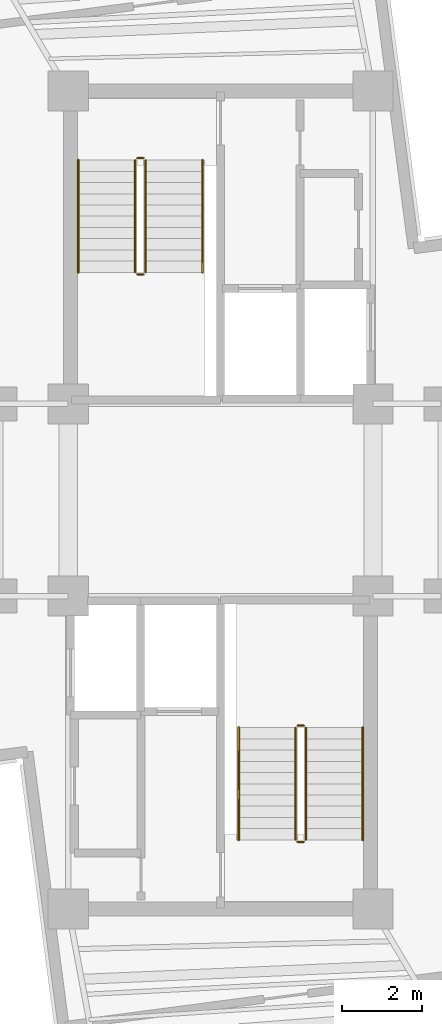
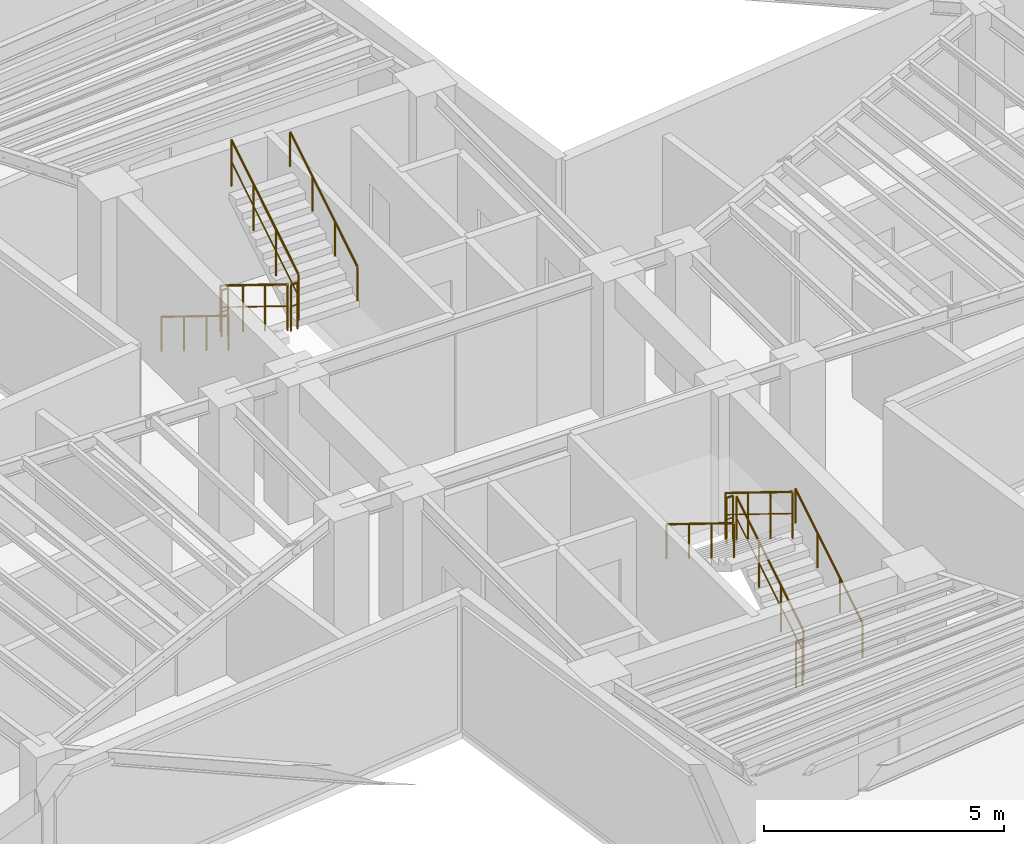
# One storey, part 6 of 6: 12 railings.
"""IFC4 building model written with IfcOpenShell, lengths in metres."""

from ifc_helpers import new_model, si_unit, direction, frame, origin, origin_2d, place, context, subcontext, project, spatial, circle, extrude, material, type_object, element, save


model = new_model("IFC4")

# Units and contexts
model_context = context("Model", 3, precision=1e-05, world=origin(), true_north=direction((0.0, 1.0)))
body_context = subcontext(model_context, "Body", "Model", "MODEL_VIEW")
ifc_project = project(units=[si_unit("LENGTHUNIT", "METRE"), si_unit("AREAUNIT", "SQUARE_METRE"), si_unit("VOLUMEUNIT", "CUBIC_METRE"), si_unit("PLANEANGLEUNIT", "RADIAN"), si_unit("MASSUNIT", "GRAM", prefix="KILO")], contexts=[model_context])

# Site, building, storey
site_placement = place(None, origin())
site = spatial("IfcSite", under=ifc_project, at=site_placement, CompositionType="ELEMENT")
building_placement = place(site_placement, origin())
building = spatial("IfcBuilding", under=site, at=building_placement, Name="Sahyath Konkavel Grand Hotel", CompositionType="ELEMENT")
storey_placement = place(building_placement, frame((0.0, 0.0, 292.699951171875)))
storey = spatial("IfcBuildingStorey", under=building, at=storey_placement, Name="L81", CompositionType="ELEMENT", Elevation=292.699951171875)

# Railings
ifc_material_1 = material(Name="Steel E350", Category="steel")
railing_type_1 = type_object("IfcRailingType", Name="RLG-STAIR-GRD", PredefinedType="GUARDRAIL", material=ifc_material_1)
railing_1_placement = place(storey_placement, frame((-2.1298828125, 8.47998046875, 0.1728515625)))
element("IfcRailing", 1, at=railing_1_placement, inside=storey, type_object=railing_type_1, Name="L81 ST-1 stair guard 1", PredefinedType="GUARDRAIL", context=body_context, shape_type="SweptSolid", body=[
    extrude(circle(Radius=0.02392578125, at=origin_2d()), frame((0.0, -0.001708984375, 1.177001953125), z_axis=(0.0, -0.851089632645, 0.525020415988), x_axis=(1.0, 0.0, 0.0)), (0.0, 0.0, 1.0), 3.285888671875),
    extrude(circle(Radius=0.01416015625, at=origin_2d()), frame((0.0, -0.001708984375, 0.625), z_axis=(0.0, -0.851089632645, 0.525020415988), x_axis=(1.0, 0.0, 0.0)), (0.0, 0.0, 1.0), 3.285888671875),
    extrude(circle(Radius=0.02099609375, at=origin_2d()), origin(), (0.0, 0.0, 1.0), 1.15185546875),
    extrude(circle(Radius=0.02099609375, at=origin_2d()), frame((0.0, -0.933349609375, 0.57568359375)), (0.0, 0.0, 1.0), 1.15185546875),
    extrude(circle(Radius=0.02099609375, at=origin_2d()), frame((0.0, -1.86669921875, 1.151611328125)), (0.0, 0.0, 1.0), 1.15185546875),
    extrude(circle(Radius=0.02099609375, at=origin_2d()), frame((0.0, -2.800048828125, 1.727294921875)), (0.0, 0.0, 1.0), 1.15185546875),
])
railing_2_placement = place(storey_placement, frame((-2.080078125, 5.6298828125, 1.900146484375)))
element("IfcRailing", 2, at=railing_2_placement, inside=storey, type_object=railing_type_1, Name="L81 ST-1 stair guard 2", PredefinedType="GUARDRAIL", context=body_context, shape_type="SweptSolid", body=[
    extrude(circle(Radius=0.02392578125, at=origin_2d()), frame((0.001953125, 0.0, 1.17578125), z_axis=(1.0, 0.0, 0.0), x_axis=(0.0, 1.0, 0.0)), (0.0, 0.0, 1.0), 0.15625),
    extrude(circle(Radius=0.01416015625, at=origin_2d()), frame((0.001953125, 0.0, 0.6240234375), z_axis=(1.0, 0.0, 0.0), x_axis=(0.0, 1.0, 0.0)), (0.0, 0.0, 1.0), 0.15625),
    extrude(circle(Radius=0.02099609375, at=origin_2d()), origin(), (0.0, 0.0, 1.0), 1.15185546875),
    extrude(circle(Radius=0.02099609375, at=origin_2d()), frame((0.16015625, 0.0, 0.0)), (0.0, 0.0, 1.0), 1.15185546875),
])
railing_3_placement = place(storey_placement, frame((-1.8701171875, 5.679931640625, 2.07275390625)))
element("IfcRailing", 3, at=railing_3_placement, inside=storey, type_object=railing_type_1, Name="L81 ST-1 stair guard 3", PredefinedType="GUARDRAIL", context=body_context, shape_type="SweptSolid", body=[
    extrude(circle(Radius=0.02392578125, at=origin_2d()), frame((0.0, 0.001708984375, 1.177001953125), z_axis=(0.0, 0.851089632645, 0.525020415988), x_axis=(-1.0, 0.0, 0.0)), (0.0, 0.0, 1.0), 3.285888671875),
    extrude(circle(Radius=0.01416015625, at=origin_2d()), frame((0.0, 0.001708984375, 0.625), z_axis=(0.0, 0.851089632645, 0.525020415988), x_axis=(-1.0, 0.0, 0.0)), (0.0, 0.0, 1.0), 3.285888671875),
    extrude(circle(Radius=0.02099609375, at=origin_2d()), origin(), (0.0, 0.0, 1.0), 1.15185546875),
    extrude(circle(Radius=0.02099609375, at=origin_2d()), frame((0.0, 0.933349609375, 0.57568359375)), (0.0, 0.0, 1.0), 1.15185546875),
    extrude(circle(Radius=0.02099609375, at=origin_2d()), frame((0.0, 1.86669921875, 1.151611328125)), (0.0, 0.0, 1.0), 1.15185546875),
    extrude(circle(Radius=0.02099609375, at=origin_2d()), frame((0.0, 2.800048828125, 1.727294921875)), (0.0, 0.0, 1.0), 1.15185546875),
])
railing_4_placement = place(storey_placement, frame((-2.080078125, 8.530029296875, 0.0)))
element("IfcRailing", 4, at=railing_4_placement, inside=storey, type_object=railing_type_1, Name="L81 ST-1 stair guard 4", PredefinedType="GUARDRAIL", context=body_context, shape_type="SweptSolid", body=[
    extrude(circle(Radius=0.02392578125, at=origin_2d()), frame((0.001953125, 0.0, 1.17578125), z_axis=(1.0, 0.0, 0.0), x_axis=(0.0, 1.0, 0.0)), (0.0, 0.0, 1.0), 0.15625),
    extrude(circle(Radius=0.01416015625, at=origin_2d()), frame((0.001953125, 0.0, 0.6240234375), z_axis=(1.0, 0.0, 0.0), x_axis=(0.0, 1.0, 0.0)), (0.0, 0.0, 1.0), 0.15625),
    extrude(circle(Radius=0.02099609375, at=origin_2d()), origin(), (0.0, 0.0, 1.0), 1.15185546875),
    extrude(circle(Radius=0.02099609375, at=origin_2d()), frame((0.16015625, 0.0, 0.0)), (0.0, 0.0, 1.0), 1.15185546875),
])
railing_5_placement = place(storey_placement, frame((2.1298828125, -8.47998046875, 0.1728515625)))
element("IfcRailing", 5, at=railing_5_placement, inside=storey, type_object=railing_type_1, Name="L81 ST-2 stair guard 1", PredefinedType="GUARDRAIL", context=body_context, shape_type="SweptSolid", body=[
    extrude(circle(Radius=0.02392578125, at=origin_2d()), frame((0.0, 0.001708984375, 1.177001953125), z_axis=(0.0, 0.851089632645, 0.525020415988), x_axis=(-1.0, 0.0, 0.0)), (0.0, 0.0, 1.0), 3.285888671875),
    extrude(circle(Radius=0.01416015625, at=origin_2d()), frame((0.0, 0.001708984375, 0.625), z_axis=(0.0, 0.851089632645, 0.525020415988), x_axis=(-1.0, 0.0, 0.0)), (0.0, 0.0, 1.0), 3.285888671875),
    extrude(circle(Radius=0.02099609375, at=origin_2d()), origin(), (0.0, 0.0, 1.0), 1.15185546875),
    extrude(circle(Radius=0.02099609375, at=origin_2d()), frame((0.0, 0.933349609375, 0.57568359375)), (0.0, 0.0, 1.0), 1.15185546875),
    extrude(circle(Radius=0.02099609375, at=origin_2d()), frame((0.0, 1.86669921875, 1.151611328125)), (0.0, 0.0, 1.0), 1.15185546875),
    extrude(circle(Radius=0.02099609375, at=origin_2d()), frame((0.0, 2.800048828125, 1.727294921875)), (0.0, 0.0, 1.0), 1.15185546875),
])
railing_6_placement = place(storey_placement, frame((2.080078125, -5.6298828125, 1.900146484375)))
element("IfcRailing", 6, at=railing_6_placement, inside=storey, type_object=railing_type_1, Name="L81 ST-2 stair guard 2", PredefinedType="GUARDRAIL", context=body_context, shape_type="SweptSolid", body=[
    extrude(circle(Radius=0.02392578125, at=origin_2d()), frame((-0.001953125, 0.0, 1.17578125), z_axis=(-1.0, 0.0, 0.0), x_axis=(0.0, -1.0, 0.0)), (0.0, 0.0, 1.0), 0.15625),
    extrude(circle(Radius=0.01416015625, at=origin_2d()), frame((-0.001953125, 0.0, 0.6240234375), z_axis=(-1.0, 0.0, 0.0), x_axis=(0.0, -1.0, 0.0)), (0.0, 0.0, 1.0), 0.15625),
    extrude(circle(Radius=0.02099609375, at=origin_2d()), origin(), (0.0, 0.0, 1.0), 1.15185546875),
    extrude(circle(Radius=0.02099609375, at=origin_2d()), frame((-0.16015625, 0.0, 0.0)), (0.0, 0.0, 1.0), 1.15185546875),
])
railing_7_placement = place(storey_placement, frame((1.8701171875, -5.679931640625, 2.07275390625)))
element("IfcRailing", 7, at=railing_7_placement, inside=storey, type_object=railing_type_1, Name="L81 ST-2 stair guard 3", PredefinedType="GUARDRAIL", context=body_context, shape_type="SweptSolid", body=[
    extrude(circle(Radius=0.02392578125, at=origin_2d()), frame((0.0, -0.001708984375, 1.177001953125), z_axis=(0.0, -0.851089632645, 0.525020415988), x_axis=(1.0, 0.0, 0.0)), (0.0, 0.0, 1.0), 3.285888671875),
    extrude(circle(Radius=0.01416015625, at=origin_2d()), frame((0.0, -0.001708984375, 0.625), z_axis=(0.0, -0.851089632645, 0.525020415988), x_axis=(1.0, 0.0, 0.0)), (0.0, 0.0, 1.0), 3.285888671875),
    extrude(circle(Radius=0.02099609375, at=origin_2d()), origin(), (0.0, 0.0, 1.0), 1.15185546875),
    extrude(circle(Radius=0.02099609375, at=origin_2d()), frame((0.0, -0.933349609375, 0.57568359375)), (0.0, 0.0, 1.0), 1.15185546875),
    extrude(circle(Radius=0.02099609375, at=origin_2d()), frame((0.0, -1.86669921875, 1.151611328125)), (0.0, 0.0, 1.0), 1.15185546875),
    extrude(circle(Radius=0.02099609375, at=origin_2d()), frame((0.0, -2.800048828125, 1.727294921875)), (0.0, 0.0, 1.0), 1.15185546875),
])
railing_8_placement = place(storey_placement, frame((2.080078125, -8.530029296875, 0.0)))
element("IfcRailing", 8, at=railing_8_placement, inside=storey, type_object=railing_type_1, Name="L81 ST-2 stair guard 4", PredefinedType="GUARDRAIL", context=body_context, shape_type="SweptSolid", body=[
    extrude(circle(Radius=0.02392578125, at=origin_2d()), frame((-0.001953125, 0.0, 1.17578125), z_axis=(-1.0, 0.0, 0.0), x_axis=(0.0, -1.0, 0.0)), (0.0, 0.0, 1.0), 0.15625),
    extrude(circle(Radius=0.01416015625, at=origin_2d()), frame((-0.001953125, 0.0, 0.6240234375), z_axis=(-1.0, 0.0, 0.0), x_axis=(0.0, -1.0, 0.0)), (0.0, 0.0, 1.0), 0.15625),
    extrude(circle(Radius=0.02099609375, at=origin_2d()), origin(), (0.0, 0.0, 1.0), 1.15185546875),
    extrude(circle(Radius=0.02099609375, at=origin_2d()), frame((-0.16015625, 0.0, 0.0)), (0.0, 0.0, 1.0), 1.15185546875),
])
ifc_material_2 = material(Name="Anodised Bronze Aluminium", Category="aluminium")
railing_type_2 = type_object("IfcRailingType", Name="RLG-STAIR-HND", PredefinedType="HANDRAIL", material=ifc_material_2)
railing_9_placement = place(storey_placement, frame((-3.550048828125, 8.47998046875, 0.1728515625)))
element("IfcRailing", 9, at=railing_9_placement, inside=storey, type_object=railing_type_2, Name="L81 ST-1 stair handrail 1", PredefinedType="HANDRAIL", context=body_context, shape_type="SweptSolid", body=[
    extrude(circle(Radius=0.02392578125, at=origin_2d()), frame((0.0, -0.001708984375, 0.876953125), z_axis=(0.0, -0.851089632645, 0.525020415988), x_axis=(1.0, 0.0, 0.0)), (0.0, 0.0, 1.0), 3.285888671875),
    extrude(circle(Radius=0.02099609375, at=origin_2d()), origin(), (0.0, 0.0, 1.0), 0.851806640625),
    extrude(circle(Radius=0.02099609375, at=origin_2d()), frame((0.0, -0.933349609375, 0.57568359375)), (0.0, 0.0, 1.0), 0.851806640625),
    extrude(circle(Radius=0.02099609375, at=origin_2d()), frame((0.0, -1.86669921875, 1.151611328125)), (0.0, 0.0, 1.0), 0.851806640625),
    extrude(circle(Radius=0.02099609375, at=origin_2d()), frame((0.0, -2.800048828125, 1.727294921875)), (0.0, 0.0, 1.0), 0.851806640625),
])
for number, where, name in (
    (10, (-0.449951171875, 5.679931640625, 2.07275390625), "L81 ST-1 stair handrail 2"),
    (11, (3.550048828125, -8.47998046875, 0.1728515625), "L81 ST-2 stair handrail 1"),
):
    element("IfcRailing", number, at=place(storey_placement, frame(where)), inside=storey, type_object=railing_type_2, Name=name, PredefinedType="HANDRAIL", context=body_context, shape_type="SweptSolid", body=[
        extrude(circle(Radius=0.02392578125, at=origin_2d()), frame((0.0, 0.001708984375, 0.876953125), z_axis=(0.0, 0.851089632645, 0.525020415988), x_axis=(-1.0, 0.0, 0.0)), (0.0, 0.0, 1.0), 3.285888671875),
        extrude(circle(Radius=0.02099609375, at=origin_2d()), origin(), (0.0, 0.0, 1.0), 0.851806640625),
        extrude(circle(Radius=0.02099609375, at=origin_2d()), frame((0.0, 0.933349609375, 0.57568359375)), (0.0, 0.0, 1.0), 0.851806640625),
        extrude(circle(Radius=0.02099609375, at=origin_2d()), frame((0.0, 1.86669921875, 1.151611328125)), (0.0, 0.0, 1.0), 0.851806640625),
        extrude(circle(Radius=0.02099609375, at=origin_2d()), frame((0.0, 2.800048828125, 1.727294921875)), (0.0, 0.0, 1.0), 0.851806640625),
    ])
railing_10_placement = place(storey_placement, frame((0.449951171875, -5.679931640625, 2.07275390625)))
element("IfcRailing", 12, at=railing_10_placement, inside=storey, type_object=railing_type_2, Name="L81 ST-2 stair handrail 2", PredefinedType="HANDRAIL", context=body_context, shape_type="SweptSolid", body=[
    extrude(circle(Radius=0.02392578125, at=origin_2d()), frame((0.0, -0.001708984375, 0.876953125), z_axis=(0.0, -0.851089632645, 0.525020415988), x_axis=(1.0, 0.0, 0.0)), (0.0, 0.0, 1.0), 3.285888671875),
    extrude(circle(Radius=0.02099609375, at=origin_2d()), origin(), (0.0, 0.0, 1.0), 0.851806640625),
    extrude(circle(Radius=0.02099609375, at=origin_2d()), frame((0.0, -0.933349609375, 0.57568359375)), (0.0, 0.0, 1.0), 0.851806640625),
    extrude(circle(Radius=0.02099609375, at=origin_2d()), frame((0.0, -1.86669921875, 1.151611328125)), (0.0, 0.0, 1.0), 0.851806640625),
    extrude(circle(Radius=0.02099609375, at=origin_2d()), frame((0.0, -2.800048828125, 1.727294921875)), (0.0, 0.0, 1.0), 0.851806640625),
])

save(model, "model.ifc")
